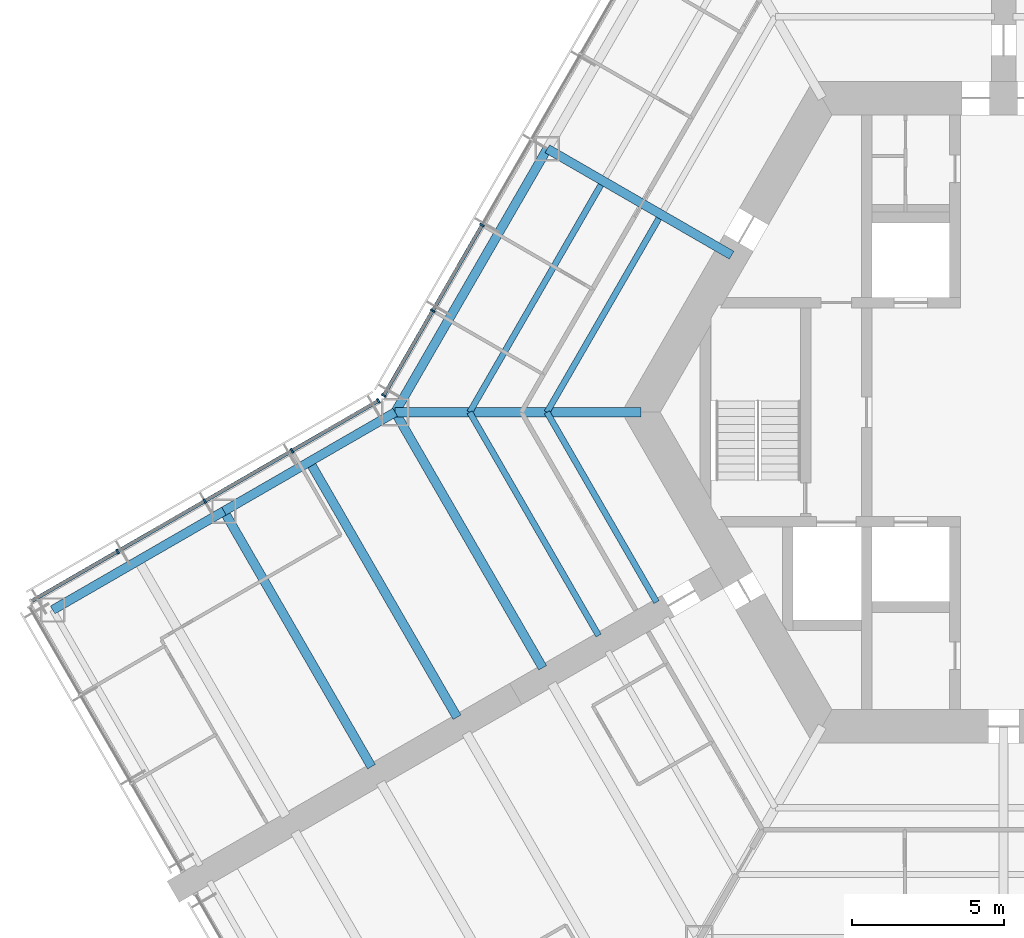
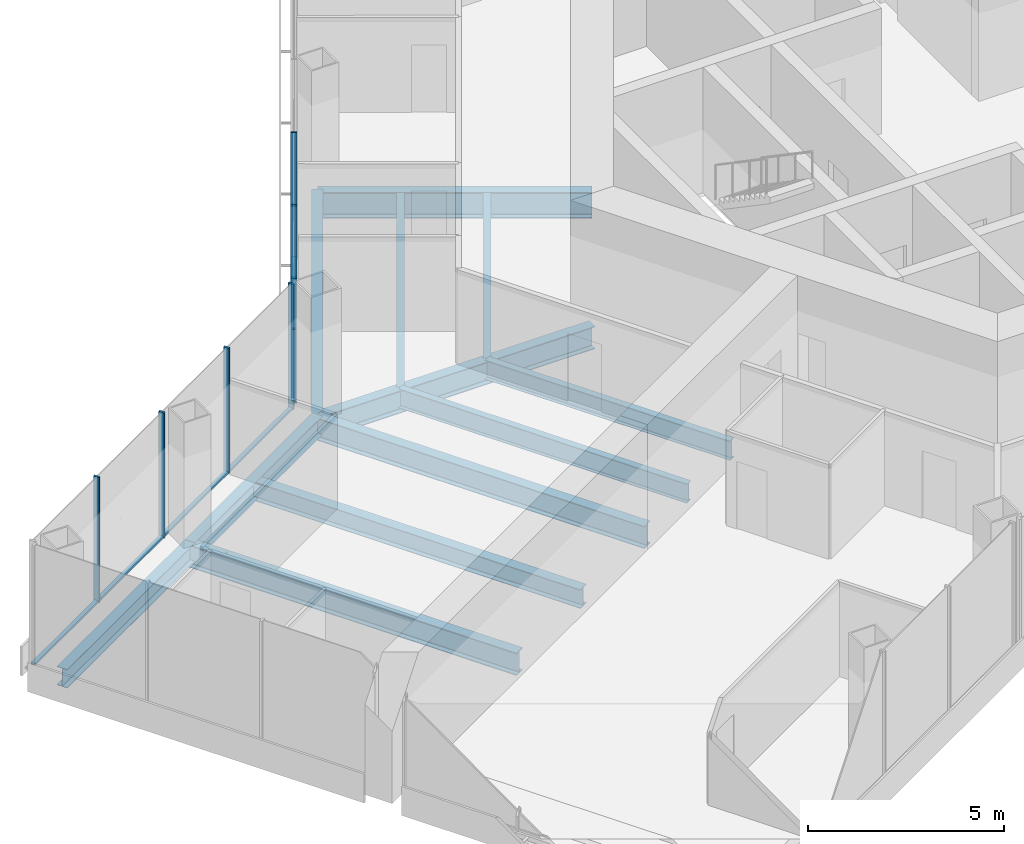
# One storey, part 4 of 19: 13 members, 12 beams, 2 elements without a shape of their own.
"""IFC4 building model written with IfcOpenShell, lengths in metres."""

from ifc_helpers import new_model, si_unit, direction, frame, origin, origin_2d, place, context, subcontext, project, spatial, rectangle, i_section, extrude, material, material_profile, profile_set, type_object, element, aggregate, save


model = new_model("IFC4")

# Units and contexts
model_context = context("Model", 3, precision=1e-05, world=origin(), true_north=direction((0.0, 1.0)))
body_context = subcontext(model_context, "Body", "Model", "MODEL_VIEW")
ifc_project = project(units=[si_unit("LENGTHUNIT", "METRE"), si_unit("AREAUNIT", "SQUARE_METRE"), si_unit("VOLUMEUNIT", "CUBIC_METRE"), si_unit("PLANEANGLEUNIT", "RADIAN"), si_unit("MASSUNIT", "GRAM", prefix="KILO")], contexts=[model_context])

# Site, building, storey
site_placement = place(None, origin())
site = spatial("IfcSite", under=ifc_project, at=site_placement, CompositionType="ELEMENT")
building_placement = place(site_placement, origin())
building = spatial("IfcBuilding", under=site, at=building_placement, Name="Kasaneha Research Tower", CompositionType="ELEMENT")
storey_placement = place(building_placement, frame((0.0, 0.0, 100.199951171875)))
storey = spatial("IfcBuildingStorey", under=building, at=storey_placement, Name="L25", CompositionType="ELEMENT", Elevation=100.199951171875)

# Beams
ifc_material_1 = material(Name="Steel SN490B", Category="steel")
ifc_material_profile_1 = material_profile(ifc_material_1, i_section(OverallWidth=0.199951171875, OverallDepth=0.60009765625, WebThickness=0.010986328125, FlangeThickness=0.01708984375, FilletRadius=0.012939453125, at=origin_2d()), Name="H-600x200x11x17")
ifc_profile_set_1 = profile_set([ifc_material_profile_1], Name="Steel SN490B")
beam_type_1 = type_object("IfcBeamType", Name="B1-3 secondary beam H-600x200x11x17", PredefinedType="JOIST", material=ifc_profile_set_1)
beam_1_placement = place(storey_placement, frame((-15.010986328125, 0.0, -0.449951171875), z_axis=(0.499994443168, 0.866028611999, 0.0), x_axis=(-0.866028611999, 0.499994443168, 0.0)))
element("IfcBeam", 1, at=beam_1_placement, inside=storey, type_object=beam_type_1, Name="Secondary beam RS150R1 L25", PredefinedType="JOIST", context=body_context, shape_type="SweptSolid", body=[
    extrude(i_section(OverallWidth=0.199951171875, OverallDepth=0.60009765625, WebThickness=0.010986328125, FlangeThickness=0.01708984375, FilletRadius=0.012939453125, at=origin_2d()), origin(), (0.0, 0.0, 1.0), 7.35546875),
])
beam_2_placement = place(storey_placement, frame((-17.551513671875, 0.0, -0.449951171875), z_axis=(0.5000050195, 0.866022505755, 0.0), x_axis=(-0.866022505755, 0.5000050195, 0.0)))
element("IfcBeam", 2, at=beam_2_placement, inside=storey, type_object=beam_type_1, Name="Secondary beam RS150R2 L25", PredefinedType="JOIST", context=body_context, shape_type="SweptSolid", body=[
    extrude(i_section(OverallWidth=0.199951171875, OverallDepth=0.60009765625, WebThickness=0.010986328125, FlangeThickness=0.01708984375, FilletRadius=0.012939453125, at=origin_2d()), origin(), (0.0, 0.0, 1.0), 8.6259765625),
])
beam_3_placement = place(storey_placement, frame((-15.010986328125, 0.0, -0.449951171875), z_axis=(0.499972735707, -0.866041144259, 0.0), x_axis=(0.866041144259, 0.499972735707, 0.0)))
element("IfcBeam", 3, at=beam_3_placement, inside=storey, type_object=beam_type_1, Name="Secondary beam RS210L1 L25", PredefinedType="JOIST", context=body_context, shape_type="SweptSolid", body=[
    extrude(i_section(OverallWidth=0.199951171875, OverallDepth=0.60009765625, WebThickness=0.010986328125, FlangeThickness=0.01708984375, FilletRadius=0.012939453125, at=origin_2d()), origin(), (0.0, 0.0, 1.0), 7.20556640625),
])
beam_4_placement = place(storey_placement, frame((-17.551513671875, 0.0, -0.449951171875), z_axis=(0.500020829043, -0.866013377797, 0.0), x_axis=(0.866013377797, 0.500020829043, 0.0)))
element("IfcBeam", 4, at=beam_4_placement, inside=storey, type_object=beam_type_1, Name="Secondary beam RS210L2 L25", PredefinedType="JOIST", context=body_context, shape_type="SweptSolid", body=[
    extrude(i_section(OverallWidth=0.199951171875, OverallDepth=0.60009765625, WebThickness=0.010986328125, FlangeThickness=0.01708984375, FilletRadius=0.012939453125, at=origin_2d()), origin(), (0.0, 0.0, 1.0), 8.475830078125),
])
ifc_material_2 = material(Name="Steel SN490B", Category="steel")
ifc_material_profile_2 = material_profile(ifc_material_2, i_section(OverallWidth=0.300048828125, OverallDepth=0.58203125, WebThickness=0.011962890625, FlangeThickness=0.01708984375, FilletRadius=0.012939453125, at=origin_2d()), Name="H-582x300x12x17")
ifc_profile_set_2 = profile_set([ifc_material_profile_2], Name="Steel SN490B")
beam_type_2 = type_object("IfcBeamType", Name="B2-3 secondary beam H-582x300x12x17", PredefinedType="JOIST", material=ifc_profile_set_2)
beam_5_placement = place(storey_placement, frame((-22.814697265625, -1.625, -0.44091796875), z_axis=(0.500010041276, -0.866019606374, 0.0), x_axis=(0.866019606374, 0.500010041276, 0.0)))
element("IfcBeam", 5, at=beam_5_placement, inside=storey, type_object=beam_type_2, Name="Secondary beam WBBP1 L25", PredefinedType="JOIST", context=body_context, shape_type="SweptSolid", body=[
    extrude(i_section(OverallWidth=0.300048828125, OverallDepth=0.58203125, WebThickness=0.011962890625, FlangeThickness=0.01708984375, FilletRadius=0.012939453125, at=origin_2d()), origin(), (0.0, 0.0, 1.0), 9.699951171875),
])

# Curtain wall, members
ifc_material_3 = material(Name="Glass and aluminium", Category="aluminium")
curtain_wall_type = type_object("IfcCurtainWallType", Name="Low-rise office curtain wall", PredefinedType="USERDEFINED", material=ifc_material_3)
curtain_wall_1_placement = place(storey_placement, origin())
curtain_wall_1 = element("IfcCurtainWall", 6, at=curtain_wall_1_placement, inside=storey, type_object=curtain_wall_type, Name="CW-O1 L25 run 12a", ObjectType="UNITISED CURTAIN WALL", PredefinedType="USERDEFINED")
ifc_material_4 = material(Name="Aluminium 6063-T6", Category="aluminium")
ifc_material_profile_3 = material_profile(ifc_material_4, rectangle(XDim=0.06005859375, YDim=0.159912109375, at=origin_2d()), Name="CW-O1 mullion 60x160")
ifc_profile_set_3 = profile_set([ifc_material_profile_3], Name="Aluminium 6063-T6")
member_type_1 = type_object("IfcMemberType", Name="CW-O1 mullion", PredefinedType="MULLION", material=ifc_profile_set_3)
member_1_placement = place(storey_placement, frame((-17.142822265625, 6.148681640625, 0.0), z_axis=(0.0, 0.0, 1.0), x_axis=(-0.49999996188, -0.866025425793, 0.0)))
member_1 = element("IfcMember", 7, at=member_1_placement, type_object=member_type_1, Name="CW-O1 mullion 5", PredefinedType="MULLION", context=body_context, shape_type="SweptSolid", body=[
    extrude(rectangle(XDim=0.06005859375, YDim=0.159912109375, at=origin_2d()), origin(), (0.0, 0.0, 1.0), 3.900146484375),
])
member_2_placement = place(storey_placement, frame((-18.76611328125, 3.33740234375, 0.0), z_axis=(0.0, 0.0, 1.0), x_axis=(-0.49999996188, -0.866025425793, 0.0)))
member_2 = element("IfcMember", 8, at=member_2_placement, type_object=member_type_1, Name="CW-O1 mullion 6", PredefinedType="MULLION", context=body_context, shape_type="SweptSolid", body=[
    extrude(rectangle(XDim=0.06005859375, YDim=0.159912109375, at=origin_2d()), origin(), (0.0, 0.0, 1.0), 3.900146484375),
])
member_3_placement = place(storey_placement, frame((-20.374267578125, 0.5517578125, 0.0), z_axis=(0.0, 0.0, 1.0), x_axis=(-0.49999996188, -0.866025425793, 0.0)))
member_3 = element("IfcMember", 9, at=member_3_placement, type_object=member_type_1, Name="CW-O1 mullion 7", PredefinedType="MULLION", context=body_context, shape_type="SweptSolid", body=[
    extrude(rectangle(XDim=0.06005859375, YDim=0.159912109375, at=origin_2d()), origin(), (0.0, 0.0, 1.0), 3.900146484375),
])

curtain_wall_2_placement = place(storey_placement, origin())
curtain_wall_2 = element("IfcCurtainWall", 10, at=curtain_wall_2_placement, inside=storey, type_object=curtain_wall_type, Name="CW-O1 L25 run 13a", ObjectType="UNITISED CURTAIN WALL", PredefinedType="USERDEFINED")
member_4_placement = place(storey_placement, frame((-20.5517578125, 0.374267578125, 0.0), z_axis=(0.0, 0.0, 1.0), x_axis=(-0.866025411464, -0.499999986699, 0.0)))
member_4 = element("IfcMember", 11, at=member_4_placement, type_object=member_type_1, Name="CW-O1 mullion 1", PredefinedType="MULLION", context=body_context, shape_type="SweptSolid", body=[
    extrude(rectangle(XDim=0.06005859375, YDim=0.159912109375, at=origin_2d()), origin(), (0.0, 0.0, 1.0), 3.900146484375),
])
member_5_placement = place(storey_placement, frame((-23.39208984375, -1.265625, 0.0), z_axis=(0.0, 0.0, 1.0), x_axis=(-0.866025411464, -0.499999986699, 0.0)))
member_5 = element("IfcMember", 12, at=member_5_placement, type_object=member_type_1, Name="CW-O1 mullion 2", PredefinedType="MULLION", context=body_context, shape_type="SweptSolid", body=[
    extrude(rectangle(XDim=0.06005859375, YDim=0.159912109375, at=origin_2d()), origin(), (0.0, 0.0, 1.0), 3.900146484375),
])
member_6_placement = place(storey_placement, frame((-26.258544921875, -2.920654296875, 0.0), z_axis=(0.0, 0.0, 1.0), x_axis=(-0.866025411464, -0.499999986699, 0.0)))
member_6 = element("IfcMember", 13, at=member_6_placement, type_object=member_type_1, Name="CW-O1 mullion 3", PredefinedType="MULLION", context=body_context, shape_type="SweptSolid", body=[
    extrude(rectangle(XDim=0.06005859375, YDim=0.159912109375, at=origin_2d()), origin(), (0.0, 0.0, 1.0), 3.900146484375),
])
member_7_placement = place(storey_placement, frame((-29.125, -4.575439453125, 0.0), z_axis=(0.0, 0.0, 1.0), x_axis=(-0.866025411464, -0.499999986699, 0.0)))
member_7 = element("IfcMember", 14, at=member_7_placement, type_object=member_type_1, Name="CW-O1 mullion 4", PredefinedType="MULLION", context=body_context, shape_type="SweptSolid", body=[
    extrude(rectangle(XDim=0.06005859375, YDim=0.159912109375, at=origin_2d()), origin(), (0.0, 0.0, 1.0), 3.900146484375),
])

# Member
ifc_material_5 = material(Name="Aluminium 6063-T6", Category="aluminium")
ifc_material_profile_4 = material_profile(ifc_material_5, rectangle(XDim=0.1201171875, YDim=0.06005859375, at=origin_2d()), Name="CW-O1 transom 120x60")
ifc_profile_set_4 = profile_set([ifc_material_profile_4], Name="Aluminium 6063-T6")
member_type_2 = type_object("IfcMemberType", Name="CW-O1 transom", PredefinedType="USERDEFINED", material=ifc_profile_set_4)
member_8_placement = place(storey_placement, frame((-17.15771484375, 6.122802734375, 0.030029296875), z_axis=(-0.500012062035, -0.866018439653, 0.0), x_axis=(0.866018439653, -0.500012062035, 0.0)))
member_8 = element("IfcMember", 15, at=member_8_placement, type_object=member_type_2, Name="CW-O1 transom 5", ObjectType="TRANSOM", PredefinedType="USERDEFINED", context=body_context, shape_type="SweptSolid", body=[
    extrude(rectangle(XDim=0.1201171875, YDim=0.06005859375, at=origin_2d()), origin(), (0.0, 0.0, 1.0), 3.1865234375),
])

member_9_placement = place(storey_placement, frame((-18.781005859375, 3.311279296875, 0.030029296875), z_axis=(-0.499999210213, -0.866025859768, 0.0), x_axis=(0.866025859768, -0.499999210213, 0.0)))
member_9 = element("IfcMember", 16, at=member_9_placement, type_object=member_type_2, Name="CW-O1 transom 6", ObjectType="TRANSOM", PredefinedType="USERDEFINED", context=body_context, shape_type="SweptSolid", body=[
    extrude(rectangle(XDim=0.1201171875, YDim=0.06005859375, at=origin_2d()), origin(), (0.0, 0.0, 1.0), 3.15625),
])

aggregate(curtain_wall_1, [member_1, member_2, member_3, member_8, member_9])

member_10_placement = place(storey_placement, frame((-20.577880859375, 0.359130859375, 0.030029296875), z_axis=(-0.866022692473, -0.500004696101, 0.0), x_axis=(0.500004696101, -0.866022692473, 0.0)))
member_10 = element("IfcMember", 17, at=member_10_placement, type_object=member_type_2, Name="CW-O1 transom 1", ObjectType="TRANSOM", PredefinedType="USERDEFINED", context=body_context, shape_type="SweptSolid", body=[
    extrude(rectangle(XDim=0.1201171875, YDim=0.06005859375, at=origin_2d()), origin(), (0.0, 0.0, 1.0), 3.2197265625),
])

member_11_placement = place(storey_placement, frame((-23.418212890625, -1.28076171875, 0.030029296875), z_axis=(-0.86604797581, -0.499960902066, 0.0), x_axis=(0.499960902066, -0.86604797581, 0.0)))
member_11 = element("IfcMember", 18, at=member_11_placement, type_object=member_type_2, Name="CW-O1 transom 2", ObjectType="TRANSOM", PredefinedType="USERDEFINED", context=body_context, shape_type="SweptSolid", body=[
    extrude(rectangle(XDim=0.1201171875, YDim=0.06005859375, at=origin_2d()), origin(), (0.0, 0.0, 1.0), 3.249755859375),
])

member_12_placement = place(storey_placement, frame((-26.28466796875, -2.935546875, 0.030029296875), z_axis=(-0.86599666273, -0.500049777664, 0.0), x_axis=(0.500049777664, -0.86599666273, 0.0)))
member_12 = element("IfcMember", 19, at=member_12_placement, type_object=member_type_2, Name="CW-O1 transom 3", ObjectType="TRANSOM", PredefinedType="USERDEFINED", context=body_context, shape_type="SweptSolid", body=[
    extrude(rectangle(XDim=0.1201171875, YDim=0.06005859375, at=origin_2d()), origin(), (0.0, 0.0, 1.0), 3.249755859375),
])

member_13_placement = place(storey_placement, frame((-29.15087890625, -4.590576171875, 0.030029296875), z_axis=(-0.866041647767, -0.499971863542, 0.0), x_axis=(0.499971863542, -0.866041647767, 0.0)))
member_13 = element("IfcMember", 20, at=member_13_placement, type_object=member_type_2, Name="CW-O1 transom 4", ObjectType="TRANSOM", PredefinedType="USERDEFINED", context=body_context, shape_type="SweptSolid", body=[
    extrude(rectangle(XDim=0.1201171875, YDim=0.06005859375, at=origin_2d()), origin(), (0.0, 0.0, 1.0), 3.219970703125),
])

aggregate(curtain_wall_2, [member_4, member_5, member_6, member_7, member_10, member_11, member_12, member_13])

# Beams
ifc_material_6 = material(Name="Steel SN490B", Category="steel")
ifc_material_profile_5 = material_profile(ifc_material_6, i_section(OverallWidth=0.300048828125, OverallDepth=0.699951171875, WebThickness=0.012939453125, FlangeThickness=0.02392578125, FilletRadius=0.01806640625, at=origin_2d()), Name="H-700x300x13x24")
ifc_profile_set_5 = profile_set([ifc_material_profile_5], Name="Steel SN490B")
beam_type_3 = type_object("IfcBeamType", Name="G1-3 radial girder H-700x300x13x24", PredefinedType="BEAM", material=ifc_profile_set_5)
beam_6_placement = place(storey_placement, frame((-11.92236328125, 0.0, -0.5), z_axis=(-1.0, 0.0, 0.0), x_axis=(0.0, -1.0, 0.0)))
element("IfcBeam", 21, at=beam_6_placement, inside=storey, type_object=beam_type_3, Name="Radial girder RV180 L25", PredefinedType="BEAM", context=body_context, shape_type="SweptSolid", body=[
    extrude(i_section(OverallWidth=0.300048828125, OverallDepth=0.699951171875, WebThickness=0.012939453125, FlangeThickness=0.02392578125, FilletRadius=0.01806640625, at=origin_2d()), origin(), (0.0, 0.0, 1.0), 8.07763671875),
])
ifc_material_7 = material(Name="Steel SN490B", Category="steel")
ifc_material_profile_6 = material_profile(ifc_material_7, i_section(OverallWidth=0.300048828125, OverallDepth=0.800048828125, WebThickness=0.013916015625, FlangeThickness=0.02587890625, FilletRadius=0.01806640625, at=origin_2d()), Name="H-800x300x14x26")
ifc_profile_set_6 = profile_set([ifc_material_profile_6], Name="Steel SN490B")
beam_type_4 = type_object("IfcBeamType", Name="G2-3 radial girder H-800x300x14x26", PredefinedType="BEAM", material=ifc_profile_set_6)
beam_7_placement = place(storey_placement, frame((-8.941650390625, 5.16259765625, -0.550048828125), z_axis=(-0.866039713508, 0.499975214012, 0.0), x_axis=(-0.499975214012, -0.866039713508, 0.0)))
element("IfcBeam", 22, at=beam_7_placement, inside=storey, type_object=beam_type_4, Name="Radial girder RM150 L25", PredefinedType="BEAM", context=body_context, shape_type="SweptSolid", body=[
    extrude(i_section(OverallWidth=0.300048828125, OverallDepth=0.800048828125, WebThickness=0.013916015625, FlangeThickness=0.02587890625, FilletRadius=0.01806640625, at=origin_2d()), origin(), (0.0, 0.0, 1.0), 6.995361328125),
])
ifc_material_8 = material(Name="Steel SN490B", Category="steel")
ifc_material_profile_7 = material_profile(ifc_material_8, i_section(OverallWidth=0.300048828125, OverallDepth=0.69189453125, WebThickness=0.012939453125, FlangeThickness=0.02001953125, FilletRadius=0.01806640625, at=origin_2d()), Name="H-692x300x13x20")
ifc_profile_set_7 = profile_set([ifc_material_profile_7], Name="Steel SN490B")
beam_type_5 = type_object("IfcBeamType", Name="G3-3 plate edge girder H-692x300x13x20", PredefinedType="BEAM", material=ifc_profile_set_7)
beam_8_placement = place(storey_placement, frame((-20.0, 0.0, -0.495849609375), z_axis=(0.500010041276, -0.866019606374, 0.0), x_axis=(0.866019606374, 0.500010041276, 0.0)))
element("IfcBeam", 23, at=beam_8_placement, inside=storey, type_object=beam_type_5, Name="Plate edge girder PEBP L25", PredefinedType="BEAM", context=body_context, shape_type="SweptSolid", body=[
    extrude(i_section(OverallWidth=0.300048828125, OverallDepth=0.69189453125, WebThickness=0.012939453125, FlangeThickness=0.02001953125, FilletRadius=0.01806640625, at=origin_2d()), origin(), (0.0, 0.0, 1.0), 9.699951171875),
])
ifc_material_9 = material(Name="Steel SN490B", Category="steel")
ifc_material_profile_8 = material_profile(ifc_material_9, i_section(OverallWidth=0.300048828125, OverallDepth=0.699951171875, WebThickness=0.012939453125, FlangeThickness=0.02392578125, FilletRadius=0.01806640625, at=origin_2d()), Name="H-700x300x13x24")
ifc_profile_set_8 = profile_set([ifc_material_profile_8], Name="Steel SN490B")
beam_type_6 = type_object("IfcBeamType", Name="G4-3 wing girder H-700x300x13x24", PredefinedType="BEAM", material=ifc_profile_set_8)
beam_9_placement = place(storey_placement, frame((-25.629150390625, -3.25, -0.5), z_axis=(0.500010041276, -0.866019606374, 0.0), x_axis=(0.866019606374, 0.500010041276, 0.0)))
element("IfcBeam", 24, at=beam_9_placement, inside=storey, type_object=beam_type_6, Name="Wing girder WGBP L25", PredefinedType="BEAM", context=body_context, shape_type="SweptSolid", body=[
    extrude(i_section(OverallWidth=0.300048828125, OverallDepth=0.699951171875, WebThickness=0.012939453125, FlangeThickness=0.02392578125, FilletRadius=0.01806640625, at=origin_2d()), origin(), (0.0, 0.0, 1.0), 9.699951171875),
])
ifc_material_10 = material(Name="Steel SN490B", Category="steel")
ifc_material_profile_9 = material_profile(ifc_material_10, i_section(OverallWidth=0.300048828125, OverallDepth=0.69189453125, WebThickness=0.012939453125, FlangeThickness=0.02001953125, FilletRadius=0.01806640625, at=origin_2d()), Name="H-692x300x13x20")
ifc_profile_set_9 = profile_set([ifc_material_profile_9], Name="Steel SN490B")
beam_type_7 = type_object("IfcBeamType", Name="SB1-3 spandrel beam H-692x300x13x20", PredefinedType="SPANDREL", material=ifc_profile_set_9)
beam_10_placement = place(storey_placement, frame((-20.0, 0.0, -0.495849609375), z_axis=(0.500004234368, 0.866022959057, 0.0), x_axis=(-0.866022959057, 0.500004234368, 0.0)))
element("IfcBeam", 25, at=beam_10_placement, inside=storey, type_object=beam_type_7, Name="Spandrel beam SR150R L25", PredefinedType="SPANDREL", context=body_context, shape_type="SweptSolid", body=[
    extrude(i_section(OverallWidth=0.300048828125, OverallDepth=0.69189453125, WebThickness=0.012939453125, FlangeThickness=0.02001953125, FilletRadius=0.01806640625, at=origin_2d()), origin(), (0.0, 0.0, 1.0), 10.0),
])
ifc_material_11 = material(Name="Steel SN490B", Category="steel")
ifc_material_profile_10 = material_profile(ifc_material_11, i_section(OverallWidth=0.300048828125, OverallDepth=0.58203125, WebThickness=0.011962890625, FlangeThickness=0.01708984375, FilletRadius=0.012939453125, at=origin_2d()), Name="H-582x300x12x17")
ifc_profile_set_10 = profile_set([ifc_material_profile_10], Name="Steel SN490B")
beam_type_8 = type_object("IfcBeamType", Name="SB2-3 spandrel beam H-582x300x12x17", PredefinedType="SPANDREL", material=ifc_profile_set_10)
for number, where, z_axis, x_axis, name in (
    (26, (-20.0, 0.0, -0.44091796875), (-0.866024837091, -0.50000098154, 0.0), (0.50000098154, -0.866024837091, 0.0), "Spandrel beam WSBP1 L25"),
    (27, (-25.629150390625, -3.25, -0.44091796875), (-0.866024837091, -0.50000098154, 0.0), (0.50000098154, -0.866024837091, 0.0), "Spandrel beam WSBP2 L25"),
):
    element("IfcBeam", number, at=place(storey_placement, frame(where, z_axis=z_axis, x_axis=x_axis)), inside=storey, type_object=beam_type_8, Name=name, PredefinedType="SPANDREL", context=body_context, shape_type="SweptSolid", body=[
        extrude(i_section(OverallWidth=0.300048828125, OverallDepth=0.58203125, WebThickness=0.011962890625, FlangeThickness=0.01708984375, FilletRadius=0.012939453125, at=origin_2d()), origin(), (0.0, 0.0, 1.0), 6.5),
    ])

save(model, "model.ifc")
